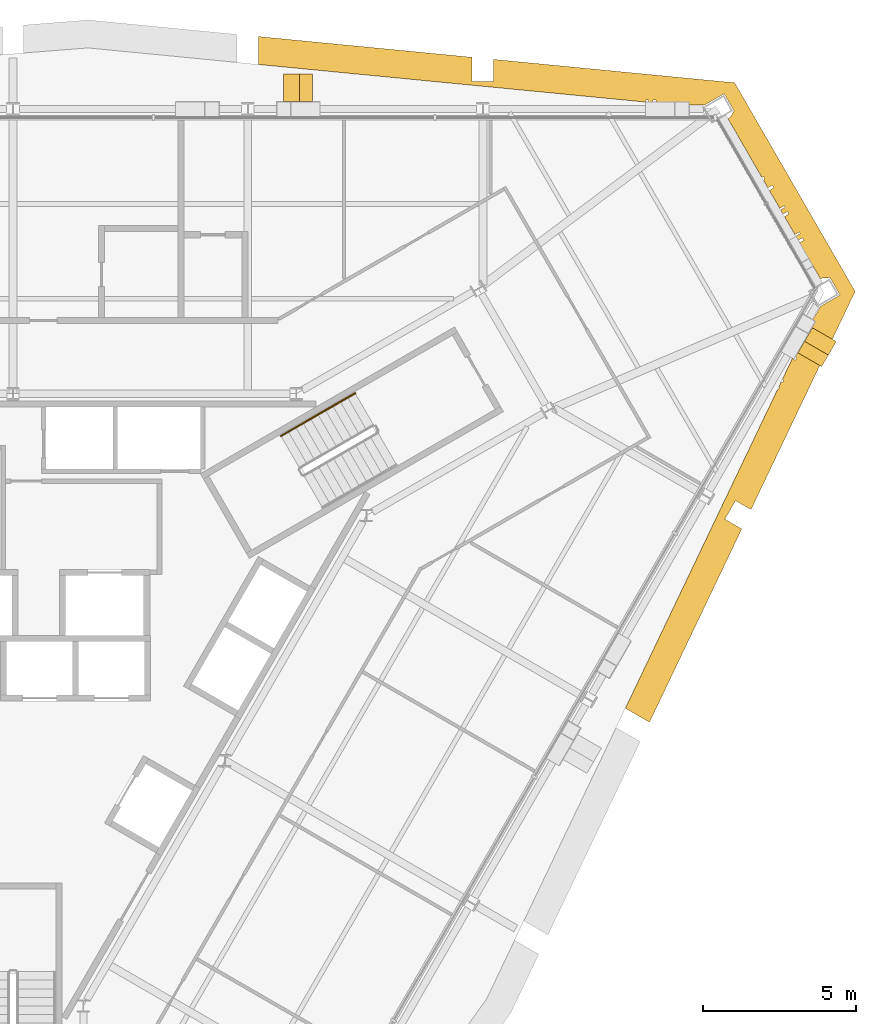
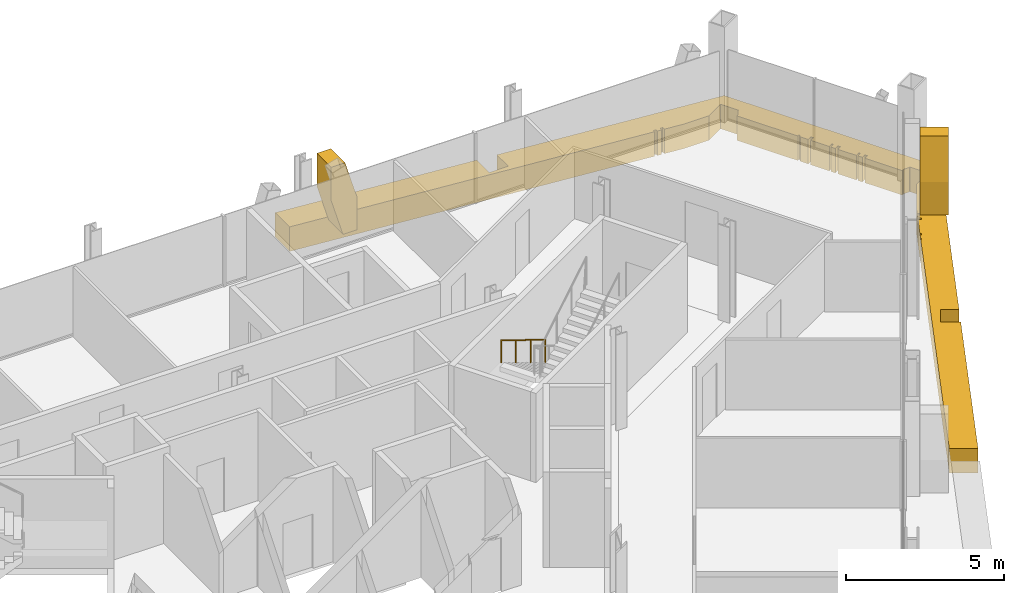
# One storey, part 13 of 13: 3 coverings, 1 railing.
"""IFC4 building model written with IfcOpenShell, lengths in metres."""

from ifc_helpers import new_model, si_unit, direction, frame, origin, origin_2d, place, context, subcontext, project, spatial, polyline, circle, outline, extrude, material, layer, layer_set, type_object, element, save


model = new_model("IFC4")

# Units and contexts
model_context = context("Model", 3, precision=1e-05, world=origin(), true_north=direction((0.0, 1.0)))
body_context = subcontext(model_context, "Body", "Model", "MODEL_VIEW")
ifc_project = project(units=[si_unit("LENGTHUNIT", "METRE"), si_unit("AREAUNIT", "SQUARE_METRE"), si_unit("VOLUMEUNIT", "CUBIC_METRE"), si_unit("PLANEANGLEUNIT", "RADIAN"), si_unit("MASSUNIT", "GRAM", prefix="KILO")], contexts=[model_context])

# Site, building, storey
site_placement = place(None, origin())
site = spatial("IfcSite", under=ifc_project, at=site_placement, CompositionType="ELEMENT")
building_placement = place(site_placement, origin())
building = spatial("IfcBuilding", under=site, at=building_placement, Name="Verrane Prism Tower", CompositionType="ELEMENT")
storey_placement = place(building_placement, frame((0.0, 0.0, 167.300048828125)))
storey = spatial("IfcBuildingStorey", under=building, at=storey_placement, Name="L41", CompositionType="ELEMENT", Elevation=167.300048828125)

# Railing
ifc_material_1 = material(Name="Steel A36 tube", Category="steel")
railing_type = type_object("IfcRailingType", Name="Stair handrail 900 steel tube", PredefinedType="HANDRAIL", material=ifc_material_1)
railing_placement = place(storey_placement, frame((11.189453125, 8.01904296875, 0.168212890625)))
element("IfcRailing", 1, at=railing_placement, inside=storey, type_object=railing_type, Name="Stair 1 handrail", PredefinedType="HANDRAIL", context=body_context, shape_type="SweptSolid", body=[
    extrude(circle(Radius=0.02392578125, at=origin_2d()), frame((0.0, 0.0, 0.8759765625), z_axis=(-0.74241905619, -0.428617687091, 0.514879426), x_axis=(0.49998411664, -0.866034573852, 0.0)), (0.0, 0.0, 1.0), 3.26611328125),
    extrude(circle(Radius=0.02099609375, at=origin_2d()), origin(), (0.0, 0.0, 1.0), 0.851806640625),
    extrude(circle(Radius=0.02099609375, at=origin_2d()), frame((-0.808349609375, -0.466552734375, 0.560546875)), (0.0, 0.0, 1.0), 0.851806640625),
    extrude(circle(Radius=0.02099609375, at=origin_2d()), frame((-1.616455078125, -0.933349609375, 1.12109375)), (0.0, 0.0, 1.0), 0.851806640625),
    extrude(circle(Radius=0.02099609375, at=origin_2d()), frame((-2.4248046875, -1.39990234375, 1.681640625)), (0.0, 0.0, 1.0), 0.851806640625),
])

# Coverings
ifc_material_2 = material(Name="Warm limestone cladding", Category="masonry")
ifc_layer_1 = layer(ifc_material_2, 0.89990234375)
ifc_layer_set_1 = layer_set([ifc_layer_1], Name="Stone brace fin 900")
covering_type_1 = type_object("IfcCoveringType", Name="Stone brace fin 900", PredefinedType="CLADDING", material=ifc_layer_set_1)
covering_1_placement = place(storey_placement, frame((9.802490234375, 18.013916015625, 0.0), z_axis=(0.0, 0.0, 1.0), x_axis=(-1.0, 0.0, 0.0)))
element("IfcCovering", 2, at=covering_1_placement, inside=storey, type_object=covering_type_1, Name="Stone brace fin N2 L41", PredefinedType="CLADDING", context=body_context, shape_type="SweptSolid", body=[
    extrude(outline(polyline([(0.948974609375, 2.75), (0.435546875, 2.75), (0.0, 1.283203125), (0.0, 0.0), (0.509765625, 0.0), (0.948974609375, 1.4794921875), (0.948974609375, 2.75)])), frame((0.0, 0.449951171875, 0.0), z_axis=(0.0, -1.0, 0.0), x_axis=(1.0, 0.0, 0.0)), (0.0, 0.0, 1.0), 0.89990234375),
])
covering_2_placement = place(storey_placement, frame((26.059814453125, 9.112548828125, 0.0), z_axis=(0.0, 0.0, 1.0), x_axis=(0.500101590855, 0.865966742331, 0.0)))
element("IfcCovering", 3, at=covering_2_placement, inside=storey, type_object=covering_type_1, Name="Stone brace fin SE6 L41", PredefinedType="CLADDING", context=body_context, shape_type="SweptSolid", body=[
    extrude(outline(polyline([(0.947509765625, 2.75), (0.434814453125, 2.75), (0.0, 1.283203125), (0.0, 0.0), (0.509033203125, 0.0), (0.947509765625, 1.4794921875), (0.947509765625, 2.75)])), frame((0.0, 0.449951171875, 0.0), z_axis=(0.0, -1.0, 0.0), x_axis=(1.0, 0.0, 0.0)), (0.0, 0.0, 1.0), 0.89990234375),
])
ifc_material_3 = material(Name="Warm limestone cladding", Category="masonry")
ifc_layer_2 = layer(ifc_material_3, 0.449951171875)
ifc_layer_set_2 = layer_set([ifc_layer_2], Name="Stone spandrel band 450")
covering_type_2 = type_object("IfcCoveringType", Name="Stone spandrel band 450", PredefinedType="CLADDING", material=ifc_layer_set_2)
covering_3_placement = place(storey_placement, frame((0.0, 0.0, -0.949951171875)))
element("IfcCovering", 4, at=covering_3_placement, inside=storey, type_object=covering_type_2, Name="Stone spandrel band L41 part 2", PredefinedType="CLADDING", context=body_context, shape_type="SweptSolid", body=[
    extrude(outline(polyline([(8.03271484375, 19.6826171875), (8.03271484375, 18.7685546875), (20.683349609375, 17.539794921875), (20.683349609375, 17.610107421875), (20.781005859375, 17.610107421875), (20.781005859375, 17.5302734375), (20.930419921875, 17.515625), (20.930419921875, 17.610107421875), (21.0244140625, 17.610107421875), (21.0244140625, 17.506591796875), (21.675048828125, 17.443359375), (22.62109375, 17.443359375), (23.25732421875, 17.810791015625), (23.58740234375, 17.2392578125), (23.568359375, 17.228271484375), (23.45751953125, 17.0390625), (23.383056640625, 16.99609375), (24.499755859375, 15.061767578125), (24.50927734375, 15.098388671875), (24.5751953125, 15.081298828125), (24.54833984375, 14.9775390625), (24.689697265625, 14.733154296875), (24.83251953125, 14.815185546875), (24.878173828125, 14.73583984375), (24.7353515625, 14.653564453125), (25.076904296875, 14.0625), (25.21875, 14.14404296875), (25.24755859375, 14.093994140625), (25.105712890625, 14.012451171875), (25.184814453125, 13.875), (25.32666015625, 13.956787109375), (25.37255859375, 13.877197265625), (25.230712890625, 13.795654296875), (25.572265625, 13.204345703125), (25.713134765625, 13.285400390625), (25.741943359375, 13.235595703125), (25.60107421875, 13.154296875), (25.680419921875, 13.01708984375), (25.821044921875, 13.09814453125), (25.86669921875, 13.018798828125), (25.72607421875, 12.937744140625), (26.412109375, 11.74951171875), (26.482177734375, 11.789794921875), (26.698486328125, 11.789794921875), (26.71728515625, 11.80078125), (27.04736328125, 11.229248046875), (26.413818359375, 10.86328125), (25.780029296875, 9.765380859375), (25.63671875, 9.46533203125), (25.7568359375, 9.39599609375), (25.7099609375, 9.314697265625), (25.59619140625, 9.38037109375), (25.531494140625, 9.2451171875), (25.63525390625, 9.185302734375), (25.58642578125, 9.1005859375), (25.489501953125, 9.15673828125), (25.16259765625, 8.472412109375), (25.208251953125, 8.446044921875), (25.161376953125, 8.36474609375), (25.1220703125, 8.38720703125), (25.04248046875, 8.220703125), (25.06591796875, 8.203369140625), (25.00439453125, 8.12060546875), (24.997314453125, 8.125732421875), (20.02685546875, -2.287353515625), (20.817138671875, -2.74365234375), (23.834228515625, 3.577392578125), (23.280517578125, 3.897216796875), (23.63037109375, 4.50341796875), (24.13671875, 4.2109375), (27.5419921875, 11.34521484375), (23.601806640625, 18.17041015625), (15.715087890625, 18.936279296875), (15.715087890625, 18.2119140625), (15.01513671875, 18.2119140625), (15.01513671875, 19.00439453125), (8.03271484375, 19.6826171875)])), origin(), (0.0, 0.0, 1.0), 0.949951171875),
])

save(model, "model.ifc")
